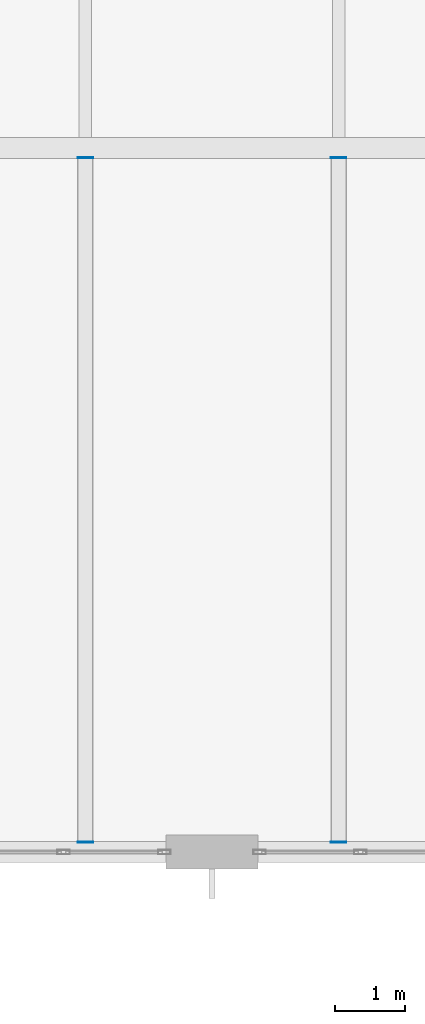
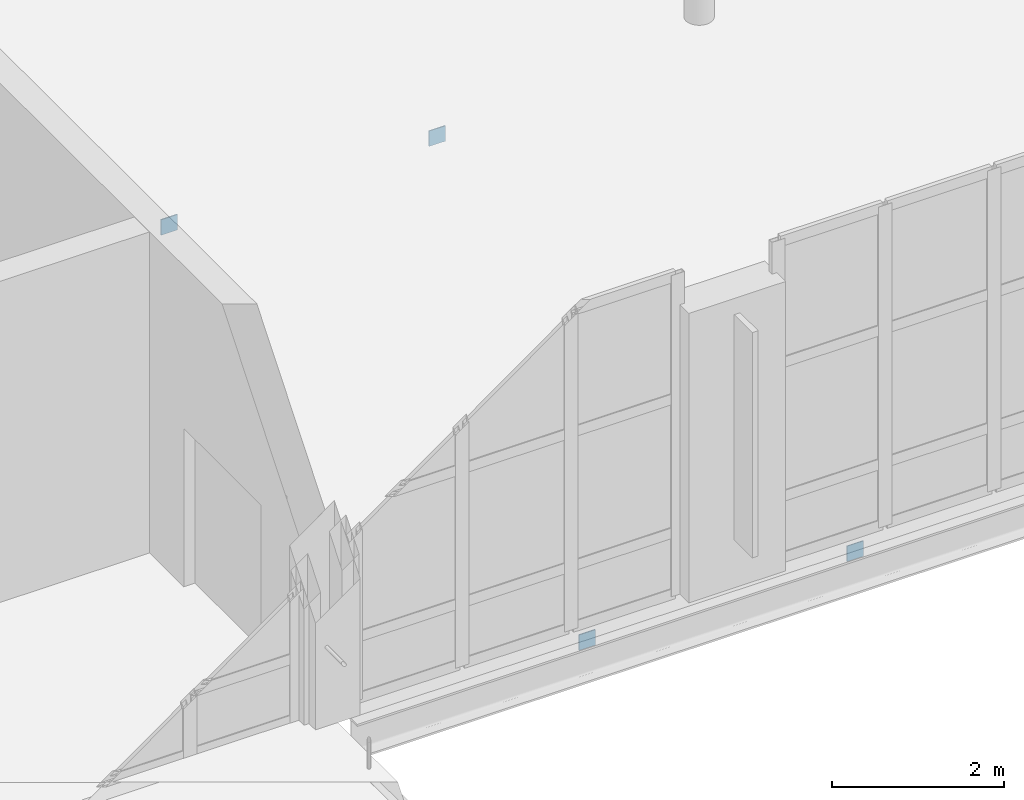
# One storey, part 73 of 100: 4 plates.
"""IFC4 building model written with IfcOpenShell, lengths in metres."""

from ifc_helpers import new_model, si_unit, direction, frame, origin, origin_2d, place, context, subcontext, project, spatial, rectangle, extrude, material, layer, layer_set, type_object, element, save


model = new_model("IFC4")

# Units and contexts
model_context = context("Model", 3, precision=1e-05, world=origin(), true_north=direction((0.0, 1.0)))
body_context = subcontext(model_context, "Body", "Model", "MODEL_VIEW")
ifc_project = project(units=[si_unit("LENGTHUNIT", "METRE"), si_unit("AREAUNIT", "SQUARE_METRE"), si_unit("VOLUMEUNIT", "CUBIC_METRE"), si_unit("PLANEANGLEUNIT", "RADIAN"), si_unit("MASSUNIT", "GRAM", prefix="KILO")], contexts=[model_context])

# Site, building, storey
site_placement = place(None, origin())
site = spatial("IfcSite", under=ifc_project, at=site_placement, CompositionType="ELEMENT")
building_placement = place(site_placement, origin())
building = spatial("IfcBuilding", under=site, at=building_placement, Name="Tasgan Crest Museum", CompositionType="ELEMENT")
storey_placement = place(building_placement, frame((0.0, 0.0, 9.60009765625)))
storey = spatial("IfcBuildingStorey", under=building, at=storey_placement, Name="L02", CompositionType="ELEMENT", Elevation=9.60009765625)

# Plates
ifc_material = material(Name="Steel S355K2", Category="steel")
ifc_layer = layer(ifc_material, 0.219970703125, Name="PL-CAP-14x220x220")
ifc_layer_set = layer_set([ifc_layer], Name="Steel S355K2")
plate_type = type_object("IfcPlateType", Name="PL-CAP-14x220x220", PredefinedType="USERDEFINED", material=ifc_layer_set)
for number, where, z_axis, x_axis, name in (
    (1, (57.60009765625, 40.137939453125, -0.4599609375), (0.0, 0.0, 1.0), (0.0, 1.0, 0.0), "End plate Secondary joist L02 X=57.6 Y=40.0-50.0 end A"),
    (2, (57.60009765625, 49.862060546875, -0.4599609375), (0.0, 0.0, 1.0), (0.0, 1.0, 0.0), "End plate Secondary joist L02 X=57.6 Y=40.0-50.0 end B"),
    (3, (61.199951171875, 40.137939453125, -0.4599609375), (0.0, 0.0, 1.0), (0.0, 1.0, 0.0), "End plate Secondary joist L02 X=61.2 Y=40.0-50.0 end A"),
    (4, (61.199951171875, 49.862060546875, -0.4599609375), (0.0, 0.0, 1.0), (0.0, 1.0, 0.0), "End plate Secondary joist L02 X=61.2 Y=40.0-50.0 end B"),
):
    element("IfcPlate", number, at=place(storey_placement, frame(where, z_axis=z_axis, x_axis=x_axis)), inside=storey, type_object=plate_type, Name=name, ObjectType="END PLATE", PredefinedType="USERDEFINED", context=body_context, shape_type="SweptSolid", body=[
        extrude(rectangle(XDim=0.013916015625, YDim=0.219970703125, at=origin_2d()), origin(), (0.0, 0.0, 1.0), 0.219970703125),
    ])

save(model, "model.ifc")
